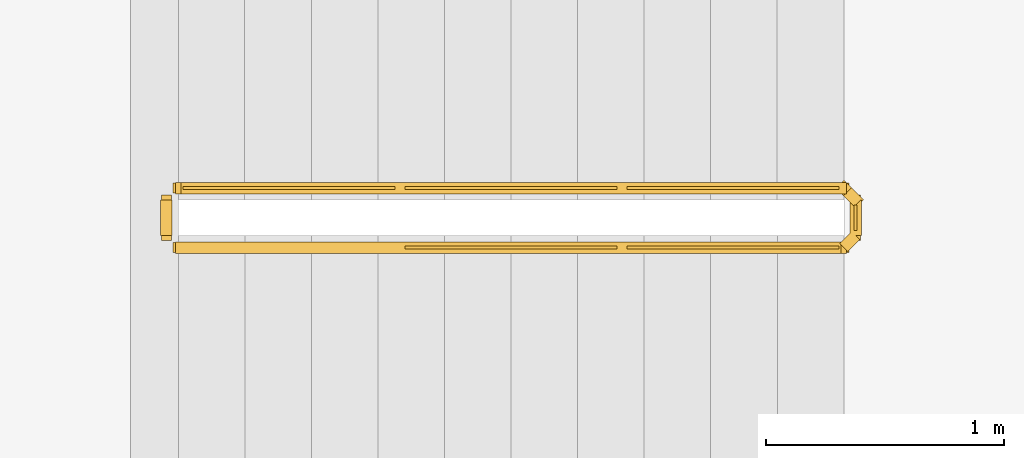
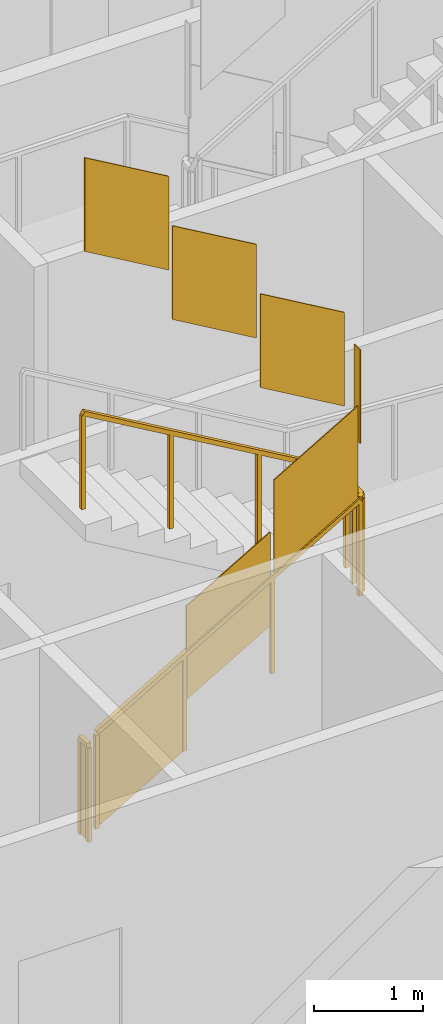
# One storey, part 17 of 22: 2 railings.
"""IFC4 building model written with IfcOpenShell, lengths in metres."""

from ifc_helpers import new_model, si_unit, direction, frame, origin, origin_2d, place, context, subcontext, project, spatial, polyline, rectangle, outline, extrude, material, type_object, element, save


model = new_model("IFC4")

# Units and contexts
model_context = context("Model", 3, precision=1e-05, world=origin(), true_north=direction((0.0, 1.0)))
body_context = subcontext(model_context, "Body", "Model", "MODEL_VIEW")
ifc_project = project(units=[si_unit("LENGTHUNIT", "METRE"), si_unit("AREAUNIT", "SQUARE_METRE"), si_unit("VOLUMEUNIT", "CUBIC_METRE"), si_unit("PLANEANGLEUNIT", "RADIAN"), si_unit("MASSUNIT", "GRAM", prefix="KILO")], contexts=[model_context])

# Site, building, storey
site_placement = place(None, origin())
site = spatial("IfcSite", under=ifc_project, at=site_placement, CompositionType="ELEMENT")
building_placement = place(site_placement, origin())
building = spatial("IfcBuilding", under=site, at=building_placement, Name="Cairn Pilgrim Tower", CompositionType="ELEMENT")
storey_placement = place(building_placement, frame((0.0, 0.0, 105.0)))
storey = spatial("IfcBuildingStorey", under=building, at=storey_placement, Name="L25", CompositionType="ELEMENT", Elevation=105.0)

# Railings
ifc_material = material(Name="Painted steel", Category="steel")
railing_type = type_object("IfcRailingType", Name="STAIR GUARD 1100", PredefinedType="GUARDRAIL", material=ifc_material)
railing_1_placement = place(storey_placement, frame((4.47509765625, 3.425048828125, 0.16357421875)))
element("IfcRailing", 1, at=railing_1_placement, inside=storey, type_object=railing_type, Name="L25 ST-B stair guard 1", PredefinedType="GUARDRAIL", context=body_context, shape_type="SweptSolid", body=[
    extrude(rectangle(XDim=0.048095703125, YDim=0.048095703125, at=origin_2d()), frame((0.0, 0.0, 1.076171875), z_axis=(0.863341702679, 0.0, 0.504619762213), x_axis=(0.0, 1.0, 0.0)), (0.0, 0.0, 1.0), 3.242919921875),
    extrude(rectangle(XDim=0.048095703125, YDim=0.048095703125, at=origin_2d()), frame((2.7998046875, 0.0, 2.71240234375), z_axis=(0.707106781187, 0.707106781187, 0.0), x_axis=(-0.707106781187, 0.707106781187, 0.0)), (0.0, 0.0, 1.0), 0.07080078125),
    extrude(rectangle(XDim=0.048095703125, YDim=0.048095703125, at=origin_2d()), frame((2.849853515625, 0.050048828125, 2.71240234375), z_axis=(0.0, 1.0, 0.0), x_axis=(-1.0, 0.0, 0.0)), (0.0, 0.0, 1.0), 0.14990234375),
    extrude(rectangle(XDim=0.048095703125, YDim=0.048095703125, at=origin_2d()), frame((2.849853515625, 0.199951171875, 2.71240234375), z_axis=(-0.280808744504, 0.280808744504, 0.917765164963), x_axis=(-0.707106781187, -0.707106781187, 0.0)), (0.0, 0.0, 1.0), 0.17822265625),
    extrude(rectangle(XDim=0.048095703125, YDim=0.048095703125, at=origin_2d()), frame((2.7998046875, 0.25, 2.8759765625), z_axis=(-0.863341702679, 0.0, 0.504619762213), x_axis=(0.0, -1.0, 0.0)), (0.0, 0.0, 1.0), 3.242919921875),
    extrude(rectangle(XDim=0.0419921875, YDim=0.0419921875, at=origin_2d()), origin(), (0.0, 0.0, 1.0), 1.052001953125),
    extrude(rectangle(XDim=0.0419921875, YDim=0.0419921875, at=origin_2d()), frame((0.933349609375, 0.0, 0.54541015625)), (0.0, 0.0, 1.0), 1.052001953125),
    extrude(rectangle(XDim=0.0419921875, YDim=0.0419921875, at=origin_2d()), frame((1.866455078125, 0.0, 1.091064453125)), (0.0, 0.0, 1.0), 1.052001953125),
    extrude(rectangle(XDim=0.0419921875, YDim=0.0419921875, at=origin_2d()), frame((2.7998046875, 0.0, 1.636474609375)), (0.0, 0.0, 1.0), 1.052001953125),
    extrude(rectangle(XDim=0.0419921875, YDim=0.0419921875, at=origin_2d()), frame((2.849853515625, 0.050048828125, 1.636474609375)), (0.0, 0.0, 1.0), 1.052001953125),
    extrude(rectangle(XDim=0.0419921875, YDim=0.0419921875, at=origin_2d()), frame((2.849853515625, 0.199951171875, 1.636474609375)), (0.0, 0.0, 1.0), 1.052001953125),
    extrude(rectangle(XDim=0.0419921875, YDim=0.0419921875, at=origin_2d()), frame((2.7998046875, 0.25, 1.800048828125)), (0.0, 0.0, 1.0), 1.052001953125),
    extrude(rectangle(XDim=0.0419921875, YDim=0.0419921875, at=origin_2d()), frame((1.866455078125, 0.25, 2.345458984375)), (0.0, 0.0, 1.0), 1.052001953125),
    extrude(rectangle(XDim=0.0419921875, YDim=0.0419921875, at=origin_2d()), frame((0.933349609375, 0.25, 2.89111328125)), (0.0, 0.0, 1.0), 1.052001953125),
    extrude(rectangle(XDim=0.0419921875, YDim=0.0419921875, at=origin_2d()), frame((0.0, 0.25, 3.4365234375)), (0.0, 0.0, 1.0), 1.052001953125),
    extrude(outline(polyline([(0.02099609375, 0.01220703125), (0.912353515625, 0.533203125), (0.912353515625, 1.585205078125), (0.02099609375, 1.064208984375), (0.02099609375, 0.01220703125)])), frame((0.0, 0.005859375, 0.0), z_axis=(0.0, -1.0, 0.0), x_axis=(1.0, 0.0, 0.0)), (0.0, 0.0, 1.0), 0.011962890625),
    extrude(outline(polyline([(0.02099609375, 0.557861328125), (0.912353515625, 1.07861328125), (0.912353515625, 2.130615234375), (0.02099609375, 1.60986328125), (0.02099609375, 0.557861328125)])), frame((0.933349609375, 0.005859375, 0.54541015625), z_axis=(0.0, -1.0, 0.0), x_axis=(1.0, 0.0, 0.0)), (0.0, 0.0, 1.0), 0.011962890625),
    extrude(outline(polyline([(0.02099609375, 1.103271484375), (0.912353515625, 1.624267578125), (0.912353515625, 2.67626953125), (0.02099609375, 2.1552734375), (0.02099609375, 1.103271484375)])), frame((1.866455078125, 0.005859375, 1.091064453125), z_axis=(0.0, -1.0, 0.0), x_axis=(1.0, 0.0, 0.0)), (0.0, 0.0, 1.0), 0.011962890625),
    extrude(outline(polyline([(0.02099609375, 1.636474609375), (0.12890625, 1.636474609375), (0.12890625, 2.6884765625), (0.02099609375, 2.6884765625), (0.02099609375, 1.636474609375)])), frame((2.84375, 0.050048828125, 1.636474609375), z_axis=(1.0, 0.0, 0.0), x_axis=(0.0, 1.0, 0.0)), (0.0, 0.0, 1.0), 0.011962890625),
    extrude(outline(polyline([(0.02099609375, 1.812255859375), (0.912353515625, 2.333251953125), (0.912353515625, 3.38525390625), (0.02099609375, 2.8642578125), (0.02099609375, 1.812255859375)])), frame((2.7998046875, 0.244140625, 1.800048828125), z_axis=(0.0, 1.0, 0.0), x_axis=(-1.0, 0.0, 0.0)), (0.0, 0.0, 1.0), 0.011962890625),
    extrude(outline(polyline([(0.02099609375, 2.35791015625), (0.912353515625, 2.878662109375), (0.912353515625, 3.9306640625), (0.02099609375, 3.409912109375), (0.02099609375, 2.35791015625)])), frame((1.866455078125, 0.244140625, 2.345458984375), z_axis=(0.0, 1.0, 0.0), x_axis=(-1.0, 0.0, 0.0)), (0.0, 0.0, 1.0), 0.011962890625),
    extrude(outline(polyline([(0.02099609375, 2.9033203125), (0.912353515625, 3.42431640625), (0.912353515625, 4.476318359375), (0.02099609375, 3.955322265625), (0.02099609375, 2.9033203125)])), frame((0.933349609375, 0.244140625, 2.89111328125), z_axis=(0.0, 1.0, 0.0), x_axis=(-1.0, 0.0, 0.0)), (0.0, 0.0, 1.0), 0.011962890625),
])
railing_2_placement = place(storey_placement, frame((4.425048828125, 3.47509765625, 0.0)))
element("IfcRailing", 2, at=railing_2_placement, inside=storey, type_object=railing_type, Name="L25 ST-B stair guard 2", PredefinedType="GUARDRAIL", context=body_context, shape_type="SweptSolid", body=[
    extrude(rectangle(XDim=0.048095703125, YDim=0.048095703125, at=origin_2d()), frame((0.0, 0.0, 1.076171875), z_axis=(0.0, 1.0, 0.0), x_axis=(-1.0, 0.0, 0.0)), (0.0, 0.0, 1.0), 0.14990234375),
    extrude(rectangle(XDim=0.0419921875, YDim=0.0419921875, at=origin_2d()), origin(), (0.0, 0.0, 1.0), 1.052001953125),
    extrude(rectangle(XDim=0.0419921875, YDim=0.0419921875, at=origin_2d()), frame((0.0, 0.14990234375, 0.0)), (0.0, 0.0, 1.0), 1.052001953125),
    extrude(outline(polyline([(0.02099609375, 0.0), (0.12890625, 0.0), (0.12890625, 1.052001953125), (0.02099609375, 1.052001953125), (0.02099609375, 0.0)])), frame((-0.005859375, 0.0, 0.0), z_axis=(1.0, 0.0, 0.0), x_axis=(0.0, 1.0, 0.0)), (0.0, 0.0, 1.0), 0.011962890625),
])

save(model, "model.ifc")
